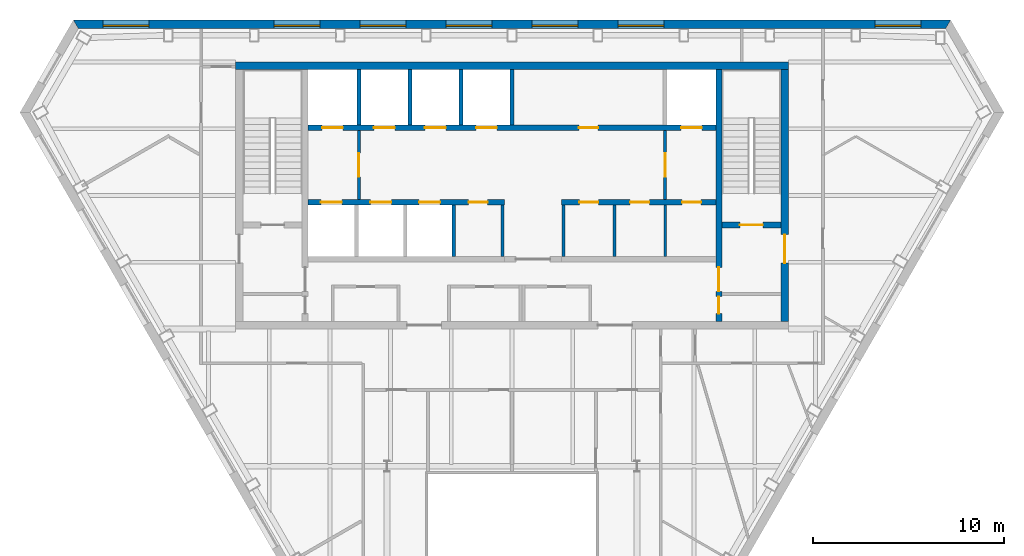
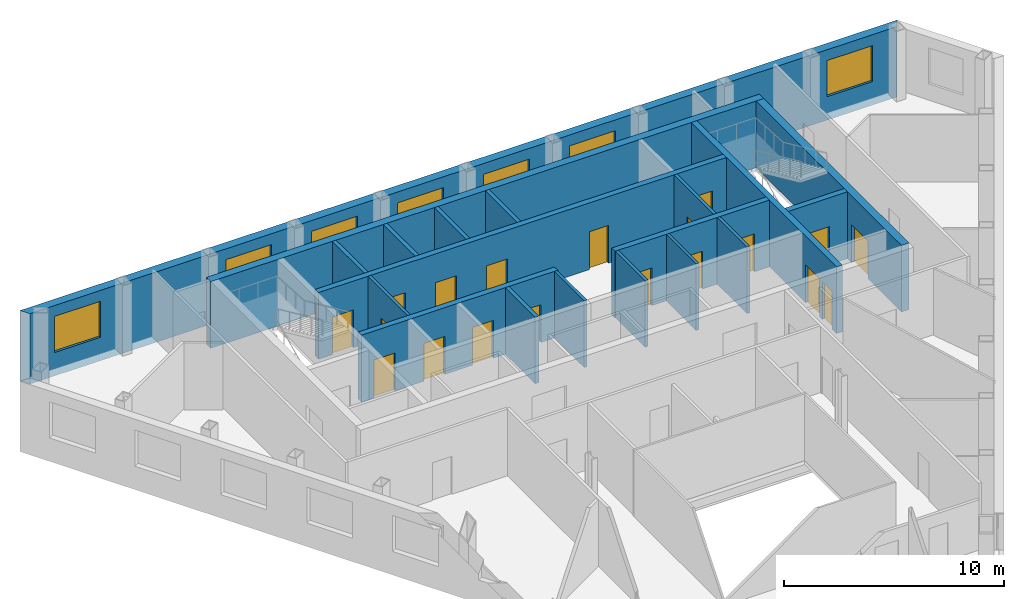
# One storey, part 6 of 10: 19 doors, 19 walls, 7 windows, 26 openings.
"""IFC4 building model written with IfcOpenShell, lengths in metres."""

import ifcopenshell
import ifcopenshell.guid

model = None  # the IFC model being written
_history = None  # IfcOwnerHistory: only IFC2X3 demands one
_inside = {}  # id of a spatial element -> (the spatial element, [elements in it])
_under = {}  # id of a project, library or spatial element -> (it, [spatial elements below it])
_declared = {}  # id of a project -> (the project, [libraries it declares])
_typed = {}  # id of a type object -> (the type object, [elements of that type])
_made_of = {}  # id of a material, layer set ... -> (it, [elements and type objects made of it])


def new_model(schema):
    """Start an empty IFC model of exactly this schema.

    Asked for "IFC4X3", IfcOpenShell would pick the latest addendum, in which some entities
    have other attributes; the version numbers below select the first issue.
    IFC2X3 requires an IfcOwnerHistory on every rooted entity: one is made here for all.
    """
    global model, _history
    if schema == "IFC4X3":
        model = ifcopenshell.file(schema_version=(4, 3, 0, 0))
    else:
        model = ifcopenshell.file(schema=schema)
    _inside.clear()
    _under.clear()
    _declared.clear()
    _typed.clear()
    _made_of.clear()
    _history = None
    if model.schema == "IFC2X3":
        org = make("IfcOrganization", Name="unknown")
        user = make(
            "IfcPersonAndOrganization",
            ThePerson=make("IfcPerson", FamilyName="unknown"),
            TheOrganization=org,
        )
        app = make(
            "IfcApplication",
            ApplicationDeveloper=org,
            Version="unknown",
            ApplicationFullName="unknown",
            ApplicationIdentifier="unknown",
        )
        _history = make(
            "IfcOwnerHistory",
            OwningUser=user,
            OwningApplication=app,
            ChangeAction="ADDED",
            CreationDate=0,
        )
    return model


def make(cls, **values):
    """One entity of the class cls with the attributes given. An attribute that is None is left unset."""
    return model.create_entity(
        cls, **{name: value for name, value in values.items() if value is not None}
    )


def rooted(cls, **values):
    """An entity with a GlobalId (a new one), such as an element, a storey or a relation."""
    return make(cls, GlobalId=ifcopenshell.guid.new(), OwnerHistory=_history, **values)


def si_unit(unit_type, name, prefix=None):
    """IfcSIUnit, for example si_unit("LENGTHUNIT", "METRE", prefix="MILLI")."""
    return make("IfcSIUnit", UnitType=unit_type, Prefix=prefix, Name=name)


def assignment(units):
    """IfcUnitAssignment: the units of a project."""
    return None if units is None else make("IfcUnitAssignment", Units=units)


def point(xyz):
    """IfcCartesianPoint."""
    return None if xyz is None else make("IfcCartesianPoint", Coordinates=xyz)


def direction(xyz):
    """IfcDirection."""
    return None if xyz is None else make("IfcDirection", DirectionRatios=xyz)


def frame(location, z_axis=None, x_axis=None):
    """IfcAxis2Placement3D, a coordinate frame: its origin and axes. An axis left out is left unset."""
    return make(
        "IfcAxis2Placement3D",
        Location=point(location),
        Axis=direction(z_axis),
        RefDirection=direction(x_axis),
    )


def frame_2d(location, x_axis=None):
    """IfcAxis2Placement2D, a coordinate frame in the plane: its origin and x axis."""
    return make(
        "IfcAxis2Placement2D", Location=point(location), RefDirection=direction(x_axis)
    )


def origin():
    """The frame at (0, 0, 0) with its axes left unset."""
    return frame((0.0, 0.0, 0.0))


def place(relative_to, where):
    """IfcLocalPlacement: puts the frame where relative to a parent placement (None: the world)."""
    return make(
        "IfcLocalPlacement", PlacementRelTo=relative_to, RelativePlacement=where
    )


def context(
    kind, dimensions, precision=None, world=None, true_north=None, identifier=None
):
    """IfcGeometricRepresentationContext, for example the 3D "Model" context."""
    return make(
        "IfcGeometricRepresentationContext",
        ContextIdentifier=identifier,
        ContextType=kind,
        CoordinateSpaceDimension=dimensions,
        Precision=precision,
        WorldCoordinateSystem=world,
        TrueNorth=true_north,
    )


def subcontext(parent, identifier, kind, view, scale=None):
    """IfcGeometricRepresentationSubContext, for example "Body" below "Model"."""
    return make(
        "IfcGeometricRepresentationSubContext",
        ContextIdentifier=identifier,
        ContextType=kind,
        ParentContext=parent,
        TargetScale=scale,
        TargetView=view,
    )


def project(units=None, contexts=None):
    """IfcProject with its units and contexts."""
    return rooted(
        "IfcProject",
        Name="project",
        RepresentationContexts=contexts,
        UnitsInContext=assignment(units),
    )


def spatial(cls, under=None, at=None, **own):
    """A site, building, storey or space (cls), placed at a placement, below another one or the project."""
    s = rooted(cls, ObjectPlacement=at, **own)
    if under is not None:
        _under.setdefault(under.id(), (under, []))[1].append(s)
    return s


def polyline(points):
    """IfcPolyline through the points."""
    return make("IfcPolyline", Points=[point(p) for p in points])


def profile(cls, at=None, kind="AREA", **sizes):
    """A parametric profile (cls). Its sizes go by their IFC names, for example OverallWidth=200.0."""
    return make(cls, ProfileType=kind, Position=at, **sizes)


def rectangle(**sizes):
    """IfcRectangleProfileDef."""
    return profile("IfcRectangleProfileDef", **sizes)


def outline(outer, holes=None, kind="AREA"):
    """IfcArbitraryClosedProfileDef: a profile drawn as a closed curve; with holes, ...WithVoids."""
    if holes is None:
        return make("IfcArbitraryClosedProfileDef", ProfileType=kind, OuterCurve=outer)
    return make(
        "IfcArbitraryProfileDefWithVoids",
        ProfileType=kind,
        OuterCurve=outer,
        InnerCurves=holes,
    )


def extrude(swept, where, along, depth):
    """IfcExtrudedAreaSolid: the profile swept, set in the frame where, extruded along a direction by depth."""
    return make(
        "IfcExtrudedAreaSolid",
        SweptArea=swept,
        Position=where,
        ExtrudedDirection=direction(along),
        Depth=depth,
    )


def shape(context_of_items, identifier, shape_type, items):
    """IfcShapeRepresentation: the items that make up one representation, for example the "Body"."""
    return make(
        "IfcShapeRepresentation",
        ContextOfItems=context_of_items,
        RepresentationIdentifier=identifier,
        RepresentationType=shape_type,
        Items=items,
    )


def material(Name=None, Category=None):
    """IfcMaterial."""
    return make("IfcMaterial", Name=Name, Category=Category)


def layer(
    of_material, thickness, ventilated=None, Name=None, Category=None, Priority=None
):
    """IfcMaterialLayer: one layer of a wall or slab, of a material (None: an air gap)."""
    return make(
        "IfcMaterialLayer",
        Material=of_material,
        LayerThickness=thickness,
        IsVentilated=ventilated,
        Name=Name,
        Category=Category,
        Priority=Priority,
    )


def layer_set(layers, Name=None):
    """IfcMaterialLayerSet."""
    return make("IfcMaterialLayerSet", MaterialLayers=layers, LayerSetName=Name)


def made_of(thing, what):
    """Note that an element or type object is made of a material, layer set ...; save() writes the relation."""
    if what is not None:
        _made_of.setdefault(what.id(), (what, []))[1].append(thing)
    return thing


def type_object(cls, material=None, **own):
    """A type object (cls), such as IfcWallType, which elements share."""
    return made_of(rooted(cls, **own), material)


def element(
    cls,
    number,
    at=None,
    inside=None,
    cuts=None,
    type_object=None,
    material=None,
    context=None,
    identifier="Body",
    shape_type=None,
    held_by="IfcProductDefinitionShape",
    body=None,
    shapes=None,
    **own,
):
    """One element of the class cls, such as IfcWall. Its Tag is "e" and its number.

    at: its placement. inside: the storey or other place that contains it. cuts: it is an
    opening in that element (IfcRelVoidsElement). A single representation is given by context,
    identifier, shape_type and body (its items); several are given by shapes. held_by: the class
    of the entity that holds the representations. save() writes the other relations.
    """
    e = rooted(cls, Tag="e%d" % number, ObjectPlacement=at, **own)
    if body is not None:
        shapes = [shape(context, identifier, shape_type, body)]
    if shapes is not None:
        e.Representation = make(held_by, Representations=shapes)
    if inside is not None:
        _inside.setdefault(inside.id(), (inside, []))[1].append(e)
    if cuts is not None:
        rooted(
            "IfcRelVoidsElement", RelatingBuildingElement=cuts, RelatedOpeningElement=e
        )
    if type_object is not None:
        _typed.setdefault(type_object.id(), (type_object, []))[1].append(e)
    return made_of(e, material)


def fill(opening, filler):
    """IfcRelFillsElement: the door or window that sits in an opening."""
    return rooted(
        "IfcRelFillsElement",
        RelatingOpeningElement=opening,
        RelatedBuildingElement=filler,
    )


def aggregate(whole, parts):
    """IfcRelAggregates: a whole, such as a stair, and the parts it consists of."""
    return rooted("IfcRelAggregates", RelatingObject=whole, RelatedObjects=parts)


def save(model, path):
    """Write the relations noted so far, then the file.

    IfcRelAggregates (storeys below a building ...), IfcRelContainedInSpatialStructure (elements
    in a storey), IfcRelDefinesByType, IfcRelAssociatesMaterial and IfcRelDeclares: one each for
    every whole, place, type object, material and project.
    """
    for whole, parts in _under.values():
        aggregate(whole, parts)
    for where, things in _inside.values():
        rooted(
            "IfcRelContainedInSpatialStructure",
            RelatedElements=things,
            RelatingStructure=where,
        )
    for kind, things in _typed.values():
        rooted("IfcRelDefinesByType", RelatedObjects=things, RelatingType=kind)
    for what, things in _made_of.values():
        rooted("IfcRelAssociatesMaterial", RelatedObjects=things, RelatingMaterial=what)
    for by, libraries in _declared.values():
        rooted("IfcRelDeclares", RelatingContext=by, RelatedDefinitions=libraries)
    model.write(path)


model = new_model("IFC4")

# Units and contexts
model_context = context("Model", 3, precision=1e-05, world=origin(), true_north=direction((0.0, 1.0)))
body_context = subcontext(model_context, "Body", "Model", "MODEL_VIEW")
ifc_project = project(units=[si_unit("LENGTHUNIT", "METRE"), si_unit("AREAUNIT", "SQUARE_METRE"), si_unit("VOLUMEUNIT", "CUBIC_METRE"), si_unit("PLANEANGLEUNIT", "RADIAN"), si_unit("MASSUNIT", "GRAM", prefix="KILO")], contexts=[model_context])

# Site, building, storey
site_placement = place(None, origin())
site = spatial("IfcSite", under=ifc_project, at=site_placement, CompositionType="ELEMENT")
building_placement = place(site_placement, origin())
building = spatial("IfcBuilding", under=site, at=building_placement, Name="Njiva Tower", CompositionType="ELEMENT")
storey_placement = place(building_placement, frame((0.0, 0.0, 272.7)))
storey = spatial("IfcBuildingStorey", under=building, at=storey_placement, Name="L62", CompositionType="ELEMENT", Elevation=272.7)

# Walls
ifc_material_1 = material(Name="Blockwork", Category="masonry")
ifc_layer_1 = layer(ifc_material_1, 0.15)
ifc_layer_set_1 = layer_set([ifc_layer_1], Name="Blockwork")
wall_type_1 = type_object("IfcWallType", Name="WT1 Compartment partition 150", PredefinedType="PARTITIONING", material=ifc_layer_set_1)
for number, where, z_axis, x_axis, name in (
    (1, (-0.5, 7.8, 0.0), (0.0, 0.0, 1.0), (0.0, 1.0, 0.0), "Partition CS4"),
    (2, (2.7, 7.8, 0.0), (0.0, 0.0, 1.0), (0.0, 1.0, 0.0), "Partition CS5"),
    (3, (5.3667, 7.8, 0.0), (0.0, 0.0, 1.0), (0.0, 1.0, 0.0), "Partition CS6"),
    (4, (8.0333, 7.8, 0.0), (0.0, 0.0, 1.0), (0.0, 1.0, 0.0), "Partition CS7"),
):
    element("IfcWall", number, at=place(storey_placement, frame(where, z_axis=z_axis, x_axis=x_axis)), inside=storey, type_object=wall_type_1, Name=name, PredefinedType="PARTITIONING", context=body_context, shape_type="SweptSolid", body=[
        extrude(rectangle(XDim=2.7, YDim=0.15, at=frame_2d((1.35, 0.0))), origin(), (0.0, 0.0, 1.0), 3.7),
    ])

# Wall, openings, doors
ifc_material_2 = material(Name="Concrete C40/50", Category="concrete")
ifc_layer_2 = layer(ifc_material_2, 0.3)
ifc_layer_set_2 = layer_set([ifc_layer_2], Name="Concrete C40/50")
wall_type_2 = type_object("IfcWallType", Name="WT10 Stair enclosure wall 300", PredefinedType="SHEAR", material=ifc_layer_set_2)
wall_1_placement = place(storey_placement, frame((10.85, 4.4, 0.0), z_axis=(0.0, 0.0, 1.0), x_axis=(0.0, 1.0, 0.0)))
wall_1 = element("IfcWall", 5, at=wall_1_placement, inside=storey, type_object=wall_type_2, Name="Stair wall east inner", PredefinedType="SHEAR", context=body_context, shape_type="SweptSolid", body=[
    extrude(rectangle(XDim=13.2, YDim=0.3, at=frame_2d((6.6, 0.0))), origin(), (0.0, 0.0, 1.0), 3.7),
])
opening_1_placement = place(wall_1_placement, frame((1.575, 0.0, 0.0)))
opening_1 = element("IfcOpeningElement", 6, at=opening_1_placement, cuts=wall_1, Name="Opening S20-D921", PredefinedType="OPENING", context=body_context, shape_type="SweptSolid", body=[
    extrude(rectangle(XDim=1.25, YDim=2.1, at=frame_2d((0.625, 1.05))), frame((0.0, 0.16, 0.0), z_axis=(0.0, -1.0, 0.0), x_axis=(1.0, 0.0, 0.0)), (0.0, 0.0, 1.0), 0.32),
])
opening_2_placement = place(wall_1_placement, frame((0.4, 0.0, 0.0)))
opening_2 = element("IfcOpeningElement", 7, at=opening_2_placement, cuts=wall_1, Name="Opening S20-D923", PredefinedType="OPENING", context=body_context, shape_type="SweptSolid", body=[
    extrude(rectangle(XDim=0.9, YDim=2.1, at=frame_2d((0.45, 1.05))), frame((0.0, 0.16, 0.0), z_axis=(0.0, -1.0, 0.0), x_axis=(1.0, 0.0, 0.0)), (0.0, 0.0, 1.0), 0.32),
])
ifc_material_3 = material(Name="Steel door, painted", Category="steel")
door_type_1 = type_object("IfcDoorType", Name="D13 Steel door 900x2100", OperationType="SINGLE_SWING_LEFT", PredefinedType="DOOR", material=ifc_material_3)
door_1_placement = place(opening_2_placement, origin())
door_1 = element("IfcDoor", 8, at=door_1_placement, inside=storey, type_object=door_type_1, Name="Breakout room door", OperationType="SINGLE_SWING_LEFT", OverallHeight=2.1, OverallWidth=0.9, PredefinedType="DOOR", context=body_context, shape_type="SweptSolid", body=[
    extrude(rectangle(XDim=0.9, YDim=2.1, at=frame_2d((0.45, 1.05))), frame((0.0, 0.025, 0.0), z_axis=(0.0, -1.0, 0.0), x_axis=(1.0, 0.0, 0.0)), (0.0, 0.0, 1.0), 0.05),
])
fill(opening_2, door_1)
ifc_material_4 = material(Name="Glazed steel fire door", Category="steel")
door_type_2 = type_object("IfcDoorType", Name="D8 Vestibule corridor door 1250x2100 glazed", OperationType="SINGLE_SWING_LEFT", PredefinedType="DOOR", material=ifc_material_4)
door_2_placement = place(opening_1_placement, origin())
door_2 = element("IfcDoor", 9, at=door_2_placement, inside=storey, type_object=door_type_2, Name="Stair vestibule corridor door", OperationType="SINGLE_SWING_RIGHT", OverallHeight=2.1, OverallWidth=1.25, PredefinedType="DOOR", context=body_context, shape_type="SweptSolid", body=[
    extrude(rectangle(XDim=1.25, YDim=2.1, at=frame_2d((0.625, 1.05))), frame((0.0, 0.025, 0.0), z_axis=(0.0, -1.0, 0.0), x_axis=(1.0, 0.0, 0.0)), (0.0, 0.0, 1.0), 0.05),
])
fill(opening_1, door_2)

# Wall, opening, door
wall_2_placement = place(storey_placement, frame((11.0, 9.45, 0.0), z_axis=(0.0, 0.0, 1.0), x_axis=(1.0, 0.0, 0.0)))
wall_2 = element("IfcWall", 10, at=wall_2_placement, inside=storey, type_object=wall_type_2, Name="Stair B south wall", PredefinedType="SHEAR", context=body_context, shape_type="SweptSolid", body=[
    extrude(rectangle(XDim=3.1, YDim=0.3, at=frame_2d((1.55, 0.0))), origin(), (0.0, 0.0, 1.0), 3.7),
])
opening_3_placement = place(wall_2_placement, frame((0.95, 0.0, 0.0)))
opening_3 = element("IfcOpeningElement", 11, at=opening_3_placement, cuts=wall_2, Name="Opening S20-D920", PredefinedType="OPENING", context=body_context, shape_type="SweptSolid", body=[
    extrude(rectangle(XDim=1.2, YDim=2.1, at=frame_2d((0.6, 1.05))), frame((0.0, 0.16, 0.0), z_axis=(0.0, -1.0, 0.0), x_axis=(1.0, 0.0, 0.0)), (0.0, 0.0, 1.0), 0.32),
])
door_type_3 = type_object("IfcDoorType", Name="D7 Stair vestibule door 1200x2100 glazed", OperationType="SINGLE_SWING_LEFT", PredefinedType="DOOR", material=ifc_material_4)
door_3_placement = place(opening_3_placement, origin())
door_3 = element("IfcDoor", 12, at=door_3_placement, inside=storey, type_object=door_type_3, Name="Stair B door", OperationType="SINGLE_SWING_LEFT", OverallHeight=2.1, OverallWidth=1.2, PredefinedType="DOOR", context=body_context, shape_type="SweptSolid", body=[
    extrude(rectangle(XDim=1.2, YDim=2.1, at=frame_2d((0.6, 1.05))), frame((0.0, 0.025, 0.0), z_axis=(0.0, -1.0, 0.0), x_axis=(1.0, 0.0, 0.0)), (0.0, 0.0, 1.0), 0.05),
])
fill(opening_3, door_3)

# Wall
ifc_material_5 = material(Name="Concrete C60/75", Category="concrete")
ifc_layer_3 = layer(ifc_material_5, 0.4)
ifc_layer_set_3 = layer_set([ifc_layer_3], Name="Concrete C60/75")
wall_type_3 = type_object("IfcWallType", Name="WT11 Core wall 400", PredefinedType="SHEAR", material=ifc_layer_set_3)
wall_3_placement = place(storey_placement, frame((-14.5, 17.8, 0.0), z_axis=(0.0, 0.0, 1.0), x_axis=(1.0, 0.0, 0.0)))
element("IfcWall", 13, at=wall_3_placement, inside=storey, type_object=wall_type_3, Name="Core wall north", PredefinedType="SHEAR", context=body_context, shape_type="SweptSolid", body=[
    extrude(rectangle(XDim=29.0, YDim=0.4, at=frame_2d((14.5, 0.0))), origin(), (0.0, 0.0, 1.0), 3.7),
])

# Wall, opening, door
wall_4_placement = place(storey_placement, frame((14.3, 4.4, 0.0), z_axis=(0.0, 0.0, 1.0), x_axis=(0.0, 1.0, 0.0)))
wall_4 = element("IfcWall", 14, at=wall_4_placement, inside=storey, type_object=wall_type_3, Name="Core wall east", PredefinedType="SHEAR", context=body_context, shape_type="SweptSolid", body=[
    extrude(rectangle(XDim=13.2, YDim=0.4, at=frame_2d((6.6, 0.0))), origin(), (0.0, 0.0, 1.0), 3.7),
])
opening_4_placement = place(wall_4_placement, frame((3.05, 0.0, 0.0)))
opening_4 = element("IfcOpeningElement", 15, at=opening_4_placement, cuts=wall_4, Name="Opening S20-D922", PredefinedType="OPENING", context=body_context, shape_type="SweptSolid", body=[
    extrude(rectangle(XDim=1.5, YDim=2.1, at=frame_2d((0.75, 1.05))), frame((0.0, 0.21, 0.0), z_axis=(0.0, -1.0, 0.0), x_axis=(1.0, 0.0, 0.0)), (0.0, 0.0, 1.0), 0.42),
])
door_type_4 = type_object("IfcDoorType", Name="D10 Exit door double 1500x2100 glazed", OperationType="DOUBLE_DOOR_SINGLE_SWING", PredefinedType="DOOR", material=ifc_material_4)
door_4_placement = place(opening_4_placement, origin())
door_4 = element("IfcDoor", 16, at=door_4_placement, inside=storey, type_object=door_type_4, Name="Stair B corridor door", OperationType="DOUBLE_DOOR_SINGLE_SWING", OverallHeight=2.1, OverallWidth=1.5, PredefinedType="DOOR", context=body_context, shape_type="SweptSolid", body=[
    extrude(rectangle(XDim=1.5, YDim=2.1, at=frame_2d((0.75, 1.05))), frame((0.0, 0.025, 0.0), z_axis=(0.0, -1.0, 0.0), x_axis=(1.0, 0.0, 0.0)), (0.0, 0.0, 1.0), 0.05),
])
fill(opening_4, door_4)

ifc_layer_4 = layer(ifc_material_1, 0.15)
ifc_layer_set_4 = layer_set([ifc_layer_4], Name="Blockwork")
wall_type_4 = type_object("IfcWallType", Name="WT2 Lobby partition 150", PredefinedType="PARTITIONING", material=ifc_layer_set_4)
wall_5_placement = place(storey_placement, frame((-8.025, 10.8, 0.0), z_axis=(0.0, 0.0, 1.0), x_axis=(0.0, 1.0, 0.0)))
wall_5 = element("IfcWall", 17, at=wall_5_placement, inside=storey, type_object=wall_type_4, Name="Firefighting lobby wall A", PredefinedType="PARTITIONING", context=body_context, shape_type="SweptSolid", body=[
    extrude(rectangle(XDim=3.6, YDim=0.15, at=frame_2d((1.8, 0.0))), origin(), (0.0, 0.0, 1.0), 3.7),
])
opening_5_placement = place(wall_5_placement, frame((1.175, 0.0, 0.0)))
opening_5 = element("IfcOpeningElement", 18, at=opening_5_placement, cuts=wall_5, Name="Opening S20-D914", PredefinedType="OPENING", context=body_context, shape_type="SweptSolid", body=[
    extrude(rectangle(XDim=1.25, YDim=2.1, at=frame_2d((0.625, 1.05))), frame((0.0, 0.085, 0.0), z_axis=(0.0, -1.0, 0.0), x_axis=(1.0, 0.0, 0.0)), (0.0, 0.0, 1.0), 0.17),
])
door_5_placement = place(opening_5_placement, origin())
door_5 = element("IfcDoor", 19, at=door_5_placement, inside=storey, type_object=door_type_2, Name="Stair vestibule corridor door", OperationType="SINGLE_SWING_RIGHT", OverallHeight=2.1, OverallWidth=1.25, PredefinedType="DOOR", context=body_context, shape_type="SweptSolid", body=[
    extrude(rectangle(XDim=1.25, YDim=2.1, at=frame_2d((0.625, 1.05))), frame((0.0, 0.025, 0.0), z_axis=(0.0, -1.0, 0.0), x_axis=(1.0, 0.0, 0.0)), (0.0, 0.0, 1.0), 0.05),
])
fill(opening_5, door_5)

wall_6_placement = place(storey_placement, frame((8.025, 10.8, 0.0), z_axis=(0.0, 0.0, 1.0), x_axis=(0.0, 1.0, 0.0)))
wall_6 = element("IfcWall", 20, at=wall_6_placement, inside=storey, type_object=wall_type_4, Name="Firefighting lobby wall B", PredefinedType="PARTITIONING", context=body_context, shape_type="SweptSolid", body=[
    extrude(rectangle(XDim=3.6, YDim=0.15, at=frame_2d((1.8, 0.0))), origin(), (0.0, 0.0, 1.0), 3.7),
])
opening_6_placement = place(wall_6_placement, frame((1.175, 0.0, 0.0)))
opening_6 = element("IfcOpeningElement", 21, at=opening_6_placement, cuts=wall_6, Name="Opening S20-D919", PredefinedType="OPENING", context=body_context, shape_type="SweptSolid", body=[
    extrude(rectangle(XDim=1.25, YDim=2.1, at=frame_2d((0.625, 1.05))), frame((0.0, 0.085, 0.0), z_axis=(0.0, -1.0, 0.0), x_axis=(1.0, 0.0, 0.0)), (0.0, 0.0, 1.0), 0.17),
])
door_6_placement = place(opening_6_placement, origin())
door_6 = element("IfcDoor", 22, at=door_6_placement, inside=storey, type_object=door_type_2, Name="Stair vestibule corridor door", OperationType="SINGLE_SWING_LEFT", OverallHeight=2.1, OverallWidth=1.25, PredefinedType="DOOR", context=body_context, shape_type="SweptSolid", body=[
    extrude(rectangle(XDim=1.25, YDim=2.1, at=frame_2d((0.625, 1.05))), frame((0.0, 0.025, 0.0), z_axis=(0.0, -1.0, 0.0), x_axis=(1.0, 0.0, 0.0)), (0.0, 0.0, 1.0), 0.05),
])
fill(opening_6, door_6)

# Walls
ifc_layer_5 = layer(ifc_material_2, 0.2)
ifc_layer_set_5 = layer_set([ifc_layer_5], Name="Concrete C40/50")
wall_type_5 = type_object("IfcWallType", Name="WT6 Lift shaft wall 200", PredefinedType="SHEAR", material=ifc_layer_set_5)
for number, where, z_axis, x_axis, name in (
    (23, (-8.025, 14.7, 0.0), (0.0, 0.0, 1.0), (0.0, 1.0, 0.0), "Shaft wall CN1"),
    (24, (-5.35, 14.7, 0.0), (0.0, 0.0, 1.0), (0.0, 1.0, 0.0), "Shaft wall CN2"),
    (25, (-2.675, 14.7, 0.0), (0.0, 0.0, 1.0), (0.0, 1.0, 0.0), "Shaft wall CN3"),
    (26, (0.0, 14.7, 0.0), (0.0, 0.0, 1.0), (0.0, 1.0, 0.0), "Shaft wall CN4"),
):
    element("IfcWall", number, at=place(storey_placement, frame(where, z_axis=z_axis, x_axis=x_axis)), inside=storey, type_object=wall_type_5, Name=name, PredefinedType="SHEAR", context=body_context, shape_type="SweptSolid", body=[
        extrude(rectangle(XDim=2.9, YDim=0.2, at=frame_2d((1.45, 0.0))), origin(), (0.0, 0.0, 1.0), 3.7),
    ])
wall_7_placement = place(storey_placement, frame((-3.05, 7.8, 0.0), z_axis=(0.0, 0.0, 1.0), x_axis=(0.0, 1.0, 0.0)))
element("IfcWall", 27, at=wall_7_placement, inside=storey, type_object=wall_type_5, Name="Shaft wall CS3", PredefinedType="SHEAR", context=body_context, shape_type="SweptSolid", body=[
    extrude(rectangle(XDim=2.7, YDim=0.2, at=frame_2d((1.35, 0.0))), origin(), (0.0, 0.0, 1.0), 3.7),
])

# Wall, openings, doors
ifc_layer_6 = layer(ifc_material_2, 0.3)
ifc_layer_set_6 = layer_set([ifc_layer_6], Name="Concrete C40/50")
wall_type_6 = type_object("IfcWallType", Name="WT7 Lift shaft wall 300", PredefinedType="SHEAR", material=ifc_layer_set_6)
wall_8_placement = place(storey_placement, frame((-10.7, 14.55, 0.0), z_axis=(0.0, 0.0, 1.0), x_axis=(1.0, 0.0, 0.0)))
wall_8 = element("IfcWall", 28, at=wall_8_placement, inside=storey, type_object=wall_type_6, Name="Shaft wall north row lobby side", PredefinedType="SHEAR", context=body_context, shape_type="SweptSolid", body=[
    extrude(rectangle(XDim=21.4, YDim=0.3, at=frame_2d((10.7, 0.0))), origin(), (0.0, 0.0, 1.0), 3.7),
])
opening_7_placement = place(wall_8_placement, frame((0.7375, 0.0, 0.0)))
opening_7 = element("IfcOpeningElement", 29, at=opening_7_placement, cuts=wall_8, Name="Opening S20-D901", PredefinedType="OPENING", context=body_context, shape_type="SweptSolid", body=[
    extrude(rectangle(XDim=1.1, YDim=2.1, at=frame_2d((0.55, 1.05))), frame((0.0, 0.16, 0.0), z_axis=(0.0, -1.0, 0.0), x_axis=(1.0, 0.0, 0.0)), (0.0, 0.0, 1.0), 0.32),
])
opening_8_placement = place(wall_8_placement, frame((3.4625, 0.0, 0.0)))
opening_8 = element("IfcOpeningElement", 30, at=opening_8_placement, cuts=wall_8, Name="Opening S20-D902", PredefinedType="OPENING", context=body_context, shape_type="SweptSolid", body=[
    extrude(rectangle(XDim=1.1, YDim=2.1, at=frame_2d((0.55, 1.05))), frame((0.0, 0.16, 0.0), z_axis=(0.0, -1.0, 0.0), x_axis=(1.0, 0.0, 0.0)), (0.0, 0.0, 1.0), 0.32),
])
opening_9_placement = place(wall_8_placement, frame((6.1375, 0.0, 0.0)))
opening_9 = element("IfcOpeningElement", 31, at=opening_9_placement, cuts=wall_8, Name="Opening S20-D903", PredefinedType="OPENING", context=body_context, shape_type="SweptSolid", body=[
    extrude(rectangle(XDim=1.1, YDim=2.1, at=frame_2d((0.55, 1.05))), frame((0.0, 0.16, 0.0), z_axis=(0.0, -1.0, 0.0), x_axis=(1.0, 0.0, 0.0)), (0.0, 0.0, 1.0), 0.32),
])
opening_10_placement = place(wall_8_placement, frame((8.8125, 0.0, 0.0)))
opening_10 = element("IfcOpeningElement", 32, at=opening_10_placement, cuts=wall_8, Name="Opening S20-D904", PredefinedType="OPENING", context=body_context, shape_type="SweptSolid", body=[
    extrude(rectangle(XDim=1.1, YDim=2.1, at=frame_2d((0.55, 1.05))), frame((0.0, 0.16, 0.0), z_axis=(0.0, -1.0, 0.0), x_axis=(1.0, 0.0, 0.0)), (0.0, 0.0, 1.0), 0.32),
])
opening_11_placement = place(wall_8_placement, frame((19.5625, 0.0, 0.0)))
opening_11 = element("IfcOpeningElement", 33, at=opening_11_placement, cuts=wall_8, Name="Opening S20-D905", PredefinedType="OPENING", context=body_context, shape_type="SweptSolid", body=[
    extrude(rectangle(XDim=1.1, YDim=2.1, at=frame_2d((0.55, 1.05))), frame((0.0, 0.16, 0.0), z_axis=(0.0, -1.0, 0.0), x_axis=(1.0, 0.0, 0.0)), (0.0, 0.0, 1.0), 0.32),
])
opening_12_placement = place(wall_8_placement, frame((14.2125, 0.0, 0.0)))
opening_12 = element("IfcOpeningElement", 34, at=opening_12_placement, cuts=wall_8, Name="Opening S20-D909", PredefinedType="OPENING", context=body_context, shape_type="SweptSolid", body=[
    extrude(rectangle(XDim=1.0, YDim=2.1, at=frame_2d((0.5, 1.05))), frame((0.0, 0.16, 0.0), z_axis=(0.0, -1.0, 0.0), x_axis=(1.0, 0.0, 0.0)), (0.0, 0.0, 1.0), 0.32),
])
door_type_5 = type_object("IfcDoorType", Name="D5 Steel door 1000x2100", OperationType="SINGLE_SWING_LEFT", PredefinedType="DOOR", material=ifc_material_3)
door_7_placement = place(opening_12_placement, origin())
door_7 = element("IfcDoor", 35, at=door_7_placement, inside=storey, type_object=door_type_5, Name="Prayer room door", OperationType="SINGLE_SWING_LEFT", OverallHeight=2.1, OverallWidth=1.0, PredefinedType="DOOR", context=body_context, shape_type="SweptSolid", body=[
    extrude(rectangle(XDim=1.0, YDim=2.1, at=frame_2d((0.5, 1.05))), frame((0.0, 0.025, 0.0), z_axis=(0.0, -1.0, 0.0), x_axis=(1.0, 0.0, 0.0)), (0.0, 0.0, 1.0), 0.05),
])
fill(opening_12, door_7)
ifc_material_6 = material(Name="Stainless steel sliding door", Category="steel")
door_type_6 = type_object("IfcDoorType", Name="LD Lift landing door 1100x2100", OperationType="SLIDING_TO_LEFT", PredefinedType="DOOR", material=ifc_material_6)
door_8_placement = place(opening_7_placement, origin())
door_8 = element("IfcDoor", 36, at=door_8_placement, inside=storey, type_object=door_type_6, Name="Lift landing door FF1", OperationType="SLIDING_TO_LEFT", OverallHeight=2.1, OverallWidth=1.1, PredefinedType="DOOR", context=body_context, shape_type="SweptSolid", body=[
    extrude(rectangle(XDim=1.1, YDim=2.1, at=frame_2d((0.55, 1.05))), frame((0.0, 0.025, 0.0), z_axis=(0.0, -1.0, 0.0), x_axis=(1.0, 0.0, 0.0)), (0.0, 0.0, 1.0), 0.05),
])
fill(opening_7, door_8)
door_9_placement = place(opening_8_placement, origin())
door_9 = element("IfcDoor", 37, at=door_9_placement, inside=storey, type_object=door_type_6, Name="Lift landing door HB4", OperationType="SLIDING_TO_LEFT", OverallHeight=2.1, OverallWidth=1.1, PredefinedType="DOOR", context=body_context, shape_type="SweptSolid", body=[
    extrude(rectangle(XDim=1.1, YDim=2.1, at=frame_2d((0.55, 1.05))), frame((0.0, 0.025, 0.0), z_axis=(0.0, -1.0, 0.0), x_axis=(1.0, 0.0, 0.0)), (0.0, 0.0, 1.0), 0.05),
])
fill(opening_8, door_9)
door_10_placement = place(opening_9_placement, origin())
door_10 = element("IfcDoor", 38, at=door_10_placement, inside=storey, type_object=door_type_6, Name="Lift landing door HB5", OperationType="SLIDING_TO_LEFT", OverallHeight=2.1, OverallWidth=1.1, PredefinedType="DOOR", context=body_context, shape_type="SweptSolid", body=[
    extrude(rectangle(XDim=1.1, YDim=2.1, at=frame_2d((0.55, 1.05))), frame((0.0, 0.025, 0.0), z_axis=(0.0, -1.0, 0.0), x_axis=(1.0, 0.0, 0.0)), (0.0, 0.0, 1.0), 0.05),
])
fill(opening_9, door_10)
door_11_placement = place(opening_10_placement, origin())
door_11 = element("IfcDoor", 39, at=door_11_placement, inside=storey, type_object=door_type_6, Name="Lift landing door HB6", OperationType="SLIDING_TO_LEFT", OverallHeight=2.1, OverallWidth=1.1, PredefinedType="DOOR", context=body_context, shape_type="SweptSolid", body=[
    extrude(rectangle(XDim=1.1, YDim=2.1, at=frame_2d((0.55, 1.05))), frame((0.0, 0.025, 0.0), z_axis=(0.0, -1.0, 0.0), x_axis=(1.0, 0.0, 0.0)), (0.0, 0.0, 1.0), 0.05),
])
fill(opening_10, door_11)
door_12_placement = place(opening_11_placement, origin())
door_12 = element("IfcDoor", 40, at=door_12_placement, inside=storey, type_object=door_type_6, Name="Lift landing door FF2", OperationType="SLIDING_TO_LEFT", OverallHeight=2.1, OverallWidth=1.1, PredefinedType="DOOR", context=body_context, shape_type="SweptSolid", body=[
    extrude(rectangle(XDim=1.1, YDim=2.1, at=frame_2d((0.55, 1.05))), frame((0.0, 0.025, 0.0), z_axis=(0.0, -1.0, 0.0), x_axis=(1.0, 0.0, 0.0)), (0.0, 0.0, 1.0), 0.05),
])
fill(opening_11, door_12)

wall_9_placement = place(storey_placement, frame((-10.7, 10.65, 0.0), z_axis=(0.0, 0.0, 1.0), x_axis=(1.0, 0.0, 0.0)))
wall_9 = element("IfcWall", 41, at=wall_9_placement, inside=storey, type_object=wall_type_6, Name="Shaft wall south row lobby side W", PredefinedType="SHEAR", context=body_context, shape_type="SweptSolid", body=[
    extrude(rectangle(XDim=10.3, YDim=0.3, at=frame_2d((5.15, 0.0))), origin(), (0.0, 0.0, 1.0), 3.7),
])
opening_13_placement = place(wall_9_placement, frame((0.675, 0.0, 0.0)))
opening_13 = element("IfcOpeningElement", 42, at=opening_13_placement, cuts=wall_9, Name="Opening S20-D906", PredefinedType="OPENING", context=body_context, shape_type="SweptSolid", body=[
    extrude(rectangle(XDim=1.1, YDim=2.1, at=frame_2d((0.55, 1.05))), frame((0.0, 0.16, 0.0), z_axis=(0.0, -1.0, 0.0), x_axis=(1.0, 0.0, 0.0)), (0.0, 0.0, 1.0), 0.32),
])
opening_14_placement = place(wall_9_placement, frame((3.275, 0.0, 0.0)))
opening_14 = element("IfcOpeningElement", 43, at=opening_14_placement, cuts=wall_9, Name="Opening S20-D907", PredefinedType="OPENING", context=body_context, shape_type="SweptSolid", body=[
    extrude(rectangle(XDim=1.1, YDim=2.1, at=frame_2d((0.55, 1.05))), frame((0.0, 0.16, 0.0), z_axis=(0.0, -1.0, 0.0), x_axis=(1.0, 0.0, 0.0)), (0.0, 0.0, 1.0), 0.32),
])
opening_15_placement = place(wall_9_placement, frame((5.825, 0.0, 0.0)))
opening_15 = element("IfcOpeningElement", 44, at=opening_15_placement, cuts=wall_9, Name="Opening S20-D908", PredefinedType="OPENING", context=body_context, shape_type="SweptSolid", body=[
    extrude(rectangle(XDim=1.1, YDim=2.1, at=frame_2d((0.55, 1.05))), frame((0.0, 0.16, 0.0), z_axis=(0.0, -1.0, 0.0), x_axis=(1.0, 0.0, 0.0)), (0.0, 0.0, 1.0), 0.32),
])
opening_16_placement = place(wall_9_placement, frame((8.425, 0.0, 0.0)))
opening_16 = element("IfcOpeningElement", 45, at=opening_16_placement, cuts=wall_9, Name="Opening S20-D910", PredefinedType="OPENING", context=body_context, shape_type="SweptSolid", body=[
    extrude(rectangle(XDim=1.0, YDim=2.1, at=frame_2d((0.5, 1.05))), frame((0.0, 0.16, 0.0), z_axis=(0.0, -1.0, 0.0), x_axis=(1.0, 0.0, 0.0)), (0.0, 0.0, 1.0), 0.32),
])
door_13_placement = place(opening_16_placement, origin())
door_13 = element("IfcDoor", 46, at=door_13_placement, inside=storey, type_object=door_type_5, Name="Business centre door", OperationType="SINGLE_SWING_RIGHT", OverallHeight=2.1, OverallWidth=1.0, PredefinedType="DOOR", context=body_context, shape_type="SweptSolid", body=[
    extrude(rectangle(XDim=1.0, YDim=2.1, at=frame_2d((0.5, 1.05))), frame((0.0, 0.025, 0.0), z_axis=(0.0, -1.0, 0.0), x_axis=(1.0, 0.0, 0.0)), (0.0, 0.0, 1.0), 0.05),
])
fill(opening_16, door_13)
door_14_placement = place(opening_13_placement, origin())
door_14 = element("IfcDoor", 47, at=door_14_placement, inside=storey, type_object=door_type_6, Name="Lift landing door HB1", OperationType="SLIDING_TO_LEFT", OverallHeight=2.1, OverallWidth=1.1, PredefinedType="DOOR", context=body_context, shape_type="SweptSolid", body=[
    extrude(rectangle(XDim=1.1, YDim=2.1, at=frame_2d((0.55, 1.05))), frame((0.0, 0.025, 0.0), z_axis=(0.0, -1.0, 0.0), x_axis=(1.0, 0.0, 0.0)), (0.0, 0.0, 1.0), 0.05),
])
fill(opening_13, door_14)
door_15_placement = place(opening_14_placement, origin())
door_15 = element("IfcDoor", 48, at=door_15_placement, inside=storey, type_object=door_type_6, Name="Lift landing door HB2", OperationType="SLIDING_TO_LEFT", OverallHeight=2.1, OverallWidth=1.1, PredefinedType="DOOR", context=body_context, shape_type="SweptSolid", body=[
    extrude(rectangle(XDim=1.1, YDim=2.1, at=frame_2d((0.55, 1.05))), frame((0.0, 0.025, 0.0), z_axis=(0.0, -1.0, 0.0), x_axis=(1.0, 0.0, 0.0)), (0.0, 0.0, 1.0), 0.05),
])
fill(opening_14, door_15)
door_16_placement = place(opening_15_placement, origin())
door_16 = element("IfcDoor", 49, at=door_16_placement, inside=storey, type_object=door_type_6, Name="Lift landing door HB3", OperationType="SLIDING_TO_LEFT", OverallHeight=2.1, OverallWidth=1.1, PredefinedType="DOOR", context=body_context, shape_type="SweptSolid", body=[
    extrude(rectangle(XDim=1.1, YDim=2.1, at=frame_2d((0.55, 1.05))), frame((0.0, 0.025, 0.0), z_axis=(0.0, -1.0, 0.0), x_axis=(1.0, 0.0, 0.0)), (0.0, 0.0, 1.0), 0.05),
])
fill(opening_15, door_16)

wall_10_placement = place(storey_placement, frame((2.6, 10.65, 0.0), z_axis=(0.0, 0.0, 1.0), x_axis=(1.0, 0.0, 0.0)))
wall_10 = element("IfcWall", 50, at=wall_10_placement, inside=storey, type_object=wall_type_6, Name="Shaft wall south row lobby side E", PredefinedType="SHEAR", context=body_context, shape_type="SweptSolid", body=[
    extrude(rectangle(XDim=8.1, YDim=0.3, at=frame_2d((4.05, 0.0))), origin(), (0.0, 0.0, 1.0), 3.7),
])
opening_17_placement = place(wall_10_placement, frame((0.9334, 0.0, 0.0)))
opening_17 = element("IfcOpeningElement", 51, at=opening_17_placement, cuts=wall_10, Name="Opening S20-D911", PredefinedType="OPENING", context=body_context, shape_type="SweptSolid", body=[
    extrude(rectangle(XDim=1.0, YDim=2.1, at=frame_2d((0.5, 1.05))), frame((0.0, 0.16, 0.0), z_axis=(0.0, -1.0, 0.0), x_axis=(1.0, 0.0, 0.0)), (0.0, 0.0, 1.0), 0.32),
])
opening_18_placement = place(wall_10_placement, frame((3.6, 0.0, 0.0)))
opening_18 = element("IfcOpeningElement", 52, at=opening_18_placement, cuts=wall_10, Name="Opening S20-D912", PredefinedType="OPENING", context=body_context, shape_type="SweptSolid", body=[
    extrude(rectangle(XDim=1.0, YDim=2.1, at=frame_2d((0.5, 1.05))), frame((0.0, 0.16, 0.0), z_axis=(0.0, -1.0, 0.0), x_axis=(1.0, 0.0, 0.0)), (0.0, 0.0, 1.0), 0.32),
])
opening_19_placement = place(wall_10_placement, frame((6.3167, 0.0, 0.0)))
opening_19 = element("IfcOpeningElement", 53, at=opening_19_placement, cuts=wall_10, Name="Opening S20-D913", PredefinedType="OPENING", context=body_context, shape_type="SweptSolid", body=[
    extrude(rectangle(XDim=1.0, YDim=2.1, at=frame_2d((0.5, 1.05))), frame((0.0, 0.16, 0.0), z_axis=(0.0, -1.0, 0.0), x_axis=(1.0, 0.0, 0.0)), (0.0, 0.0, 1.0), 0.32),
])
door_17_placement = place(opening_17_placement, origin())
door_17 = element("IfcDoor", 54, at=door_17_placement, inside=storey, type_object=door_type_5, Name="Meeting room door", OperationType="SINGLE_SWING_LEFT", OverallHeight=2.1, OverallWidth=1.0, PredefinedType="DOOR", context=body_context, shape_type="SweptSolid", body=[
    extrude(rectangle(XDim=1.0, YDim=2.1, at=frame_2d((0.5, 1.05))), frame((0.0, 0.025, 0.0), z_axis=(0.0, -1.0, 0.0), x_axis=(1.0, 0.0, 0.0)), (0.0, 0.0, 1.0), 0.05),
])
fill(opening_17, door_17)
door_18_placement = place(opening_18_placement, origin())
door_18 = element("IfcDoor", 55, at=door_18_placement, inside=storey, type_object=door_type_5, Name="Breakout room door", OperationType="SINGLE_SWING_RIGHT", OverallHeight=2.1, OverallWidth=1.0, PredefinedType="DOOR", context=body_context, shape_type="SweptSolid", body=[
    extrude(rectangle(XDim=1.0, YDim=2.1, at=frame_2d((0.5, 1.05))), frame((0.0, 0.025, 0.0), z_axis=(0.0, -1.0, 0.0), x_axis=(1.0, 0.0, 0.0)), (0.0, 0.0, 1.0), 0.05),
])
fill(opening_18, door_18)
door_19_placement = place(opening_19_placement, origin())
door_19 = element("IfcDoor", 56, at=door_19_placement, inside=storey, type_object=door_type_5, Name="Ventilation plant room door", OperationType="SINGLE_SWING_RIGHT", OverallHeight=2.1, OverallWidth=1.0, PredefinedType="DOOR", context=body_context, shape_type="SweptSolid", body=[
    extrude(rectangle(XDim=1.0, YDim=2.1, at=frame_2d((0.5, 1.05))), frame((0.0, 0.025, 0.0), z_axis=(0.0, -1.0, 0.0), x_axis=(1.0, 0.0, 0.0)), (0.0, 0.0, 1.0), 0.05),
])
fill(opening_19, door_19)

# Wall, openings, windows
ifc_material_7 = material(Name="Brick masonry", Category="masonry")
ifc_layer_7 = layer(ifc_material_7, 0.45)
ifc_layer_set_7 = layer_set([ifc_layer_7], Name="Brick masonry")
wall_type_7 = type_object("IfcWallType", Name="WT90 Brick pier and spandrel wall 450", PredefinedType="SOLIDWALL", material=ifc_layer_set_7)
wall_11_placement = place(storey_placement, frame((22.8701, 19.975, -0.4), z_axis=(0.0, 0.0, 1.0), x_axis=(-1.0, 0.0, 0.0)))
wall_11 = element("IfcWall", 57, at=wall_11_placement, inside=storey, type_object=wall_type_7, Name="Facade wall N", PredefinedType="SOLIDWALL", context=body_context, shape_type="SweptSolid", body=[
    extrude(outline(polyline([(-0.1299, -0.225), (45.8701, -0.225), (45.6103, 0.225), (0.1299, 0.225), (-0.1299, -0.225)])), origin(), (0.0, 0.0, 1.0), 3.9),
])
opening_20_placement = place(wall_11_placement, frame((1.4242, 0.0, 1.3)))
opening_20 = element("IfcOpeningElement", 58, at=opening_20_placement, cuts=wall_11, Name="Opening S20-W01", PredefinedType="OPENING", context=body_context, shape_type="SweptSolid", body=[
    extrude(rectangle(XDim=2.4, YDim=2.0, at=frame_2d((1.2, 1.0))), frame((0.0, 0.235, 0.0), z_axis=(0.0, -1.0, 0.0), x_axis=(1.0, 0.0, 0.0)), (0.0, 0.0, 1.0), 0.47),
])
opening_21_placement = place(wall_11_placement, frame((14.9087, 0.0, 1.3)))
opening_21 = element("IfcOpeningElement", 59, at=opening_21_placement, cuts=wall_11, Name="Opening S20-W02", PredefinedType="OPENING", context=body_context, shape_type="SweptSolid", body=[
    extrude(rectangle(XDim=2.4, YDim=2.0, at=frame_2d((1.2, 1.0))), frame((0.0, 0.235, 0.0), z_axis=(0.0, -1.0, 0.0), x_axis=(1.0, 0.0, 0.0)), (0.0, 0.0, 1.0), 0.47),
])
opening_22_placement = place(wall_11_placement, frame((19.4163, 0.0, 1.3)))
opening_22 = element("IfcOpeningElement", 60, at=opening_22_placement, cuts=wall_11, Name="Opening S20-W03", PredefinedType="OPENING", context=body_context, shape_type="SweptSolid", body=[
    extrude(rectangle(XDim=2.4, YDim=2.0, at=frame_2d((1.2, 1.0))), frame((0.0, 0.235, 0.0), z_axis=(0.0, -1.0, 0.0), x_axis=(1.0, 0.0, 0.0)), (0.0, 0.0, 1.0), 0.47),
])
opening_23_placement = place(wall_11_placement, frame((23.9239, 0.0, 1.3)))
opening_23 = element("IfcOpeningElement", 61, at=opening_23_placement, cuts=wall_11, Name="Opening S20-W04", PredefinedType="OPENING", context=body_context, shape_type="SweptSolid", body=[
    extrude(rectangle(XDim=2.4, YDim=2.0, at=frame_2d((1.2, 1.0))), frame((0.0, 0.235, 0.0), z_axis=(0.0, -1.0, 0.0), x_axis=(1.0, 0.0, 0.0)), (0.0, 0.0, 1.0), 0.47),
])
opening_24_placement = place(wall_11_placement, frame((28.4315, 0.0, 1.3)))
opening_24 = element("IfcOpeningElement", 62, at=opening_24_placement, cuts=wall_11, Name="Opening S20-W05", PredefinedType="OPENING", context=body_context, shape_type="SweptSolid", body=[
    extrude(rectangle(XDim=2.4, YDim=2.0, at=frame_2d((1.2, 1.0))), frame((0.0, 0.235, 0.0), z_axis=(0.0, -1.0, 0.0), x_axis=(1.0, 0.0, 0.0)), (0.0, 0.0, 1.0), 0.47),
])
opening_25_placement = place(wall_11_placement, frame((32.9391, 0.0, 1.3)))
opening_25 = element("IfcOpeningElement", 63, at=opening_25_placement, cuts=wall_11, Name="Opening S20-W06", PredefinedType="OPENING", context=body_context, shape_type="SweptSolid", body=[
    extrude(rectangle(XDim=2.4, YDim=2.0, at=frame_2d((1.2, 1.0))), frame((0.0, 0.235, 0.0), z_axis=(0.0, -1.0, 0.0), x_axis=(1.0, 0.0, 0.0)), (0.0, 0.0, 1.0), 0.47),
])
opening_26_placement = place(wall_11_placement, frame((41.916, 0.0, 1.3)))
opening_26 = element("IfcOpeningElement", 64, at=opening_26_placement, cuts=wall_11, Name="Opening S20-W07", PredefinedType="OPENING", context=body_context, shape_type="SweptSolid", body=[
    extrude(rectangle(XDim=2.4, YDim=2.0, at=frame_2d((1.2, 1.0))), frame((0.0, 0.235, 0.0), z_axis=(0.0, -1.0, 0.0), x_axis=(1.0, 0.0, 0.0)), (0.0, 0.0, 1.0), 0.47),
])
ifc_material_8 = material(Name="Clear glazing in aluminium frame", Category="aluminium")
window_type = type_object("IfcWindowType", Name="W90 Deep-set window 2400x2000", PartitioningType="SINGLE_PANEL", PredefinedType="WINDOW", material=ifc_material_8)
window_1_placement = place(opening_20_placement, origin())
window_1 = element("IfcWindow", 65, at=window_1_placement, inside=storey, type_object=window_type, Name="Window", OverallHeight=2.0, OverallWidth=2.4, PartitioningType="SINGLE_PANEL", PredefinedType="WINDOW", context=body_context, shape_type="SweptSolid", body=[
    extrude(rectangle(XDim=2.4, YDim=2.0, at=frame_2d((1.2, 1.0))), frame((0.0, 0.105, 0.0), z_axis=(0.0, -1.0, 0.0), x_axis=(1.0, 0.0, 0.0)), (0.0, 0.0, 1.0), 0.06),
])
fill(opening_20, window_1)
window_2_placement = place(opening_21_placement, origin())
window_2 = element("IfcWindow", 66, at=window_2_placement, inside=storey, type_object=window_type, Name="Window", OverallHeight=2.0, OverallWidth=2.4, PartitioningType="SINGLE_PANEL", PredefinedType="WINDOW", context=body_context, shape_type="SweptSolid", body=[
    extrude(rectangle(XDim=2.4, YDim=2.0, at=frame_2d((1.2, 1.0))), frame((0.0, 0.105, 0.0), z_axis=(0.0, -1.0, 0.0), x_axis=(1.0, 0.0, 0.0)), (0.0, 0.0, 1.0), 0.06),
])
fill(opening_21, window_2)
window_3_placement = place(opening_22_placement, origin())
window_3 = element("IfcWindow", 67, at=window_3_placement, inside=storey, type_object=window_type, Name="Window", OverallHeight=2.0, OverallWidth=2.4, PartitioningType="SINGLE_PANEL", PredefinedType="WINDOW", context=body_context, shape_type="SweptSolid", body=[
    extrude(rectangle(XDim=2.4, YDim=2.0, at=frame_2d((1.2, 1.0))), frame((0.0, 0.105, 0.0), z_axis=(0.0, -1.0, 0.0), x_axis=(1.0, 0.0, 0.0)), (0.0, 0.0, 1.0), 0.06),
])
fill(opening_22, window_3)
window_4_placement = place(opening_23_placement, origin())
window_4 = element("IfcWindow", 68, at=window_4_placement, inside=storey, type_object=window_type, Name="Window", OverallHeight=2.0, OverallWidth=2.4, PartitioningType="SINGLE_PANEL", PredefinedType="WINDOW", context=body_context, shape_type="SweptSolid", body=[
    extrude(rectangle(XDim=2.4, YDim=2.0, at=frame_2d((1.2, 1.0))), frame((0.0, 0.105, 0.0), z_axis=(0.0, -1.0, 0.0), x_axis=(1.0, 0.0, 0.0)), (0.0, 0.0, 1.0), 0.06),
])
fill(opening_23, window_4)
window_5_placement = place(opening_24_placement, origin())
window_5 = element("IfcWindow", 69, at=window_5_placement, inside=storey, type_object=window_type, Name="Window", OverallHeight=2.0, OverallWidth=2.4, PartitioningType="SINGLE_PANEL", PredefinedType="WINDOW", context=body_context, shape_type="SweptSolid", body=[
    extrude(rectangle(XDim=2.4, YDim=2.0, at=frame_2d((1.2, 1.0))), frame((0.0, 0.105, 0.0), z_axis=(0.0, -1.0, 0.0), x_axis=(1.0, 0.0, 0.0)), (0.0, 0.0, 1.0), 0.06),
])
fill(opening_24, window_5)
window_6_placement = place(opening_25_placement, origin())
window_6 = element("IfcWindow", 70, at=window_6_placement, inside=storey, type_object=window_type, Name="Window", OverallHeight=2.0, OverallWidth=2.4, PartitioningType="SINGLE_PANEL", PredefinedType="WINDOW", context=body_context, shape_type="SweptSolid", body=[
    extrude(rectangle(XDim=2.4, YDim=2.0, at=frame_2d((1.2, 1.0))), frame((0.0, 0.105, 0.0), z_axis=(0.0, -1.0, 0.0), x_axis=(1.0, 0.0, 0.0)), (0.0, 0.0, 1.0), 0.06),
])
fill(opening_25, window_6)
window_7_placement = place(opening_26_placement, origin())
window_7 = element("IfcWindow", 71, at=window_7_placement, inside=storey, type_object=window_type, Name="Window", OverallHeight=2.0, OverallWidth=2.4, PartitioningType="SINGLE_PANEL", PredefinedType="WINDOW", context=body_context, shape_type="SweptSolid", body=[
    extrude(rectangle(XDim=2.4, YDim=2.0, at=frame_2d((1.2, 1.0))), frame((0.0, 0.105, 0.0), z_axis=(0.0, -1.0, 0.0), x_axis=(1.0, 0.0, 0.0)), (0.0, 0.0, 1.0), 0.06),
])
fill(opening_26, window_7)

save(model, "model.ifc")
